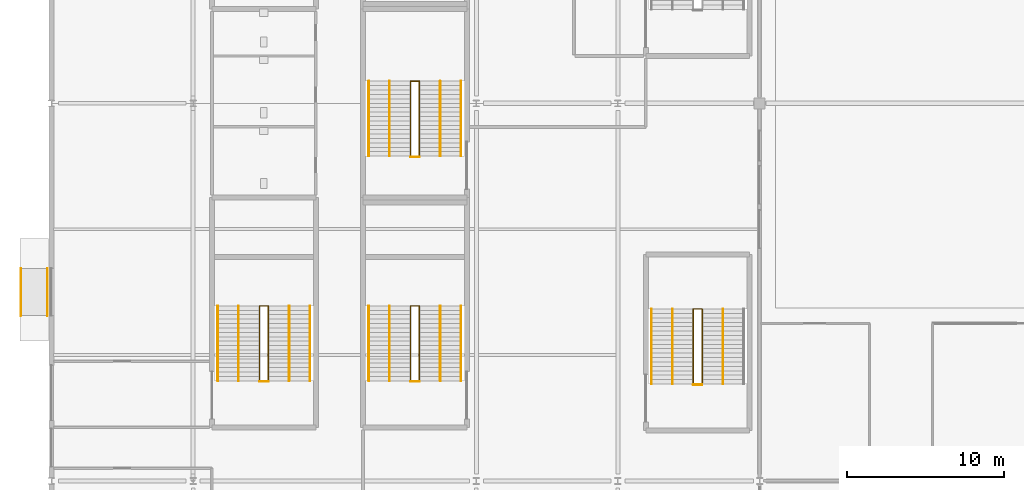
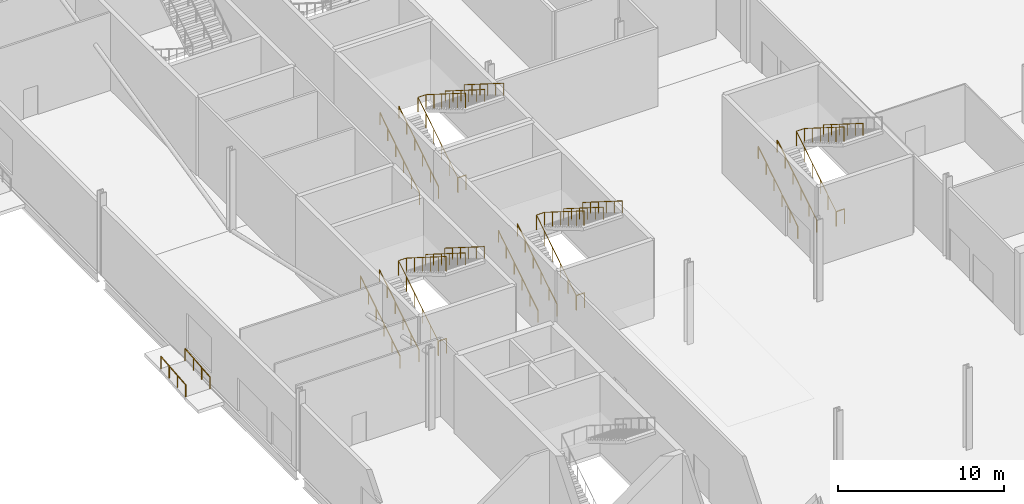
# One storey, part 69 of 84: 25 railings.
"""IFC4 building model written with IfcOpenShell, lengths in metres."""

from ifc_helpers import new_model, si_unit, direction, frame, origin, origin_2d, place, context, subcontext, project, spatial, circle, extrude, material, type_object, element, save


model = new_model("IFC4")

# Units and contexts
model_context = context("Model", 3, precision=1e-05, world=origin(), true_north=direction((0.0, 1.0)))
body_context = subcontext(model_context, "Body", "Model", "MODEL_VIEW")
ifc_project = project(units=[si_unit("LENGTHUNIT", "METRE"), si_unit("AREAUNIT", "SQUARE_METRE"), si_unit("VOLUMEUNIT", "CUBIC_METRE"), si_unit("PLANEANGLEUNIT", "RADIAN"), si_unit("MASSUNIT", "GRAM", prefix="KILO")], contexts=[model_context])

# Site, building, storey
site_placement = place(None, origin())
site = spatial("IfcSite", under=ifc_project, at=site_placement, CompositionType="ELEMENT")
building_placement = place(site_placement, origin())
building = spatial("IfcBuilding", under=site, at=building_placement, Name="Kisiwana Market Hall", CompositionType="ELEMENT")
storey_placement = place(building_placement, origin())
storey = spatial("IfcBuildingStorey", under=building, at=storey_placement, Name="L00", CompositionType="ELEMENT", Elevation=0.0)

# Railings
ifc_material_1 = material(Name="Steel S275", Category="steel")
railing_type_1 = type_object("IfcRailingType", Name="RL-GUARD-1100", PredefinedType="GUARDRAIL", material=ifc_material_1)
railing_1_placement = place(storey_placement, frame((13.219970703125, 42.360107421875, 0.0)))
element("IfcRailing", 1, at=railing_1_placement, inside=storey, type_object=railing_type_1, Name="Stair ST-W3-L00 inner-well guardrail (RL-179)", PredefinedType="GUARDRAIL", context=body_context, shape_type="SweptSolid", body=[
    extrude(circle(Radius=0.02392578125, at=origin_2d()), frame((0.0, 0.0, 1.076171875), z_axis=(0.0, 0.845995810448, 0.533189542944), x_axis=(-1.0, 0.0, 0.0)), (0.0, 0.0, 1.0), 5.62646484375),
    extrude(circle(Radius=0.02392578125, at=origin_2d()), frame((0.0, 4.760009765625, 4.076171875), z_axis=(1.0, 0.0, 0.0), x_axis=(0.0, 1.0, 0.0)), (0.0, 0.0, 1.0), 0.56005859375),
    extrude(circle(Radius=0.02392578125, at=origin_2d()), frame((0.56005859375, 4.760009765625, 4.076171875), z_axis=(0.0, -0.845995810448, 0.533189542944), x_axis=(1.0, 0.0, 0.0)), (0.0, 0.0, 1.0), 5.62646484375),
    extrude(circle(Radius=0.02099609375, at=origin_2d()), origin(), (0.0, 0.0, 1.0), 1.052001953125),
    extrude(circle(Radius=0.02099609375, at=origin_2d()), frame((0.0, 0.951904296875, 0.60009765625)), (0.0, 0.0, 1.0), 1.052001953125),
    extrude(circle(Radius=0.02099609375, at=origin_2d()), frame((0.0, 1.904052734375, 1.199951171875)), (0.0, 0.0, 1.0), 1.052001953125),
    extrude(circle(Radius=0.02099609375, at=origin_2d()), frame((0.0, 2.85595703125, 1.800048828125)), (0.0, 0.0, 1.0), 1.052001953125),
    extrude(circle(Radius=0.02099609375, at=origin_2d()), frame((0.0, 3.80810546875, 2.39990234375)), (0.0, 0.0, 1.0), 1.052001953125),
    extrude(circle(Radius=0.02099609375, at=origin_2d()), frame((0.0, 4.760009765625, 3.0)), (0.0, 0.0, 1.0), 1.052001953125),
    extrude(circle(Radius=0.02099609375, at=origin_2d()), frame((0.56005859375, 4.760009765625, 3.0)), (0.0, 0.0, 1.0), 1.052001953125),
    extrude(circle(Radius=0.02099609375, at=origin_2d()), frame((0.56005859375, 3.80810546875, 3.60009765625)), (0.0, 0.0, 1.0), 1.052001953125),
    extrude(circle(Radius=0.02099609375, at=origin_2d()), frame((0.56005859375, 2.85595703125, 4.199951171875)), (0.0, 0.0, 1.0), 1.052001953125),
    extrude(circle(Radius=0.02099609375, at=origin_2d()), frame((0.56005859375, 1.904052734375, 4.800048828125)), (0.0, 0.0, 1.0), 1.052001953125),
    extrude(circle(Radius=0.02099609375, at=origin_2d()), frame((0.56005859375, 0.951904296875, 5.39990234375)), (0.0, 0.0, 1.0), 1.052001953125),
    extrude(circle(Radius=0.02099609375, at=origin_2d()), frame((0.56005859375, 0.0, 6.0)), (0.0, 0.0, 1.0), 1.052001953125),
])
railing_2_placement = place(storey_placement, frame((13.219970703125, 42.31005859375, 0.0)))
element("IfcRailing", 2, at=railing_2_placement, inside=storey, type_object=railing_type_1, Name="Stair ST-W3-L00 landing edge guardrail (RL-184)", PredefinedType="GUARDRAIL", context=body_context, shape_type="SweptSolid", body=[
    extrude(circle(Radius=0.02392578125, at=origin_2d()), frame((0.0, 0.0, 1.076171875), z_axis=(1.0, 0.0, 0.0), x_axis=(0.0, 1.0, 0.0)), (0.0, 0.0, 1.0), 0.56005859375),
    extrude(circle(Radius=0.02099609375, at=origin_2d()), origin(), (0.0, 0.0, 1.0), 1.052001953125),
    extrude(circle(Radius=0.02099609375, at=origin_2d()), frame((0.56005859375, 0.0, 0.0)), (0.0, 0.0, 1.0), 1.052001953125),
])
railing_3_placement = place(storey_placement, frame((22.820068359375, 42.360107421875, 0.0)))
element("IfcRailing", 3, at=railing_3_placement, inside=storey, type_object=railing_type_1, Name="Stair ST-W7-L00 inner-well guardrail (RL-203)", PredefinedType="GUARDRAIL", context=body_context, shape_type="SweptSolid", body=[
    extrude(circle(Radius=0.02392578125, at=origin_2d()), frame((0.0, 0.0, 1.076171875), z_axis=(0.0, 0.845995810448, 0.533189542944), x_axis=(-1.0, 0.0, 0.0)), (0.0, 0.0, 1.0), 5.62646484375),
    extrude(circle(Radius=0.02392578125, at=origin_2d()), frame((0.0, 4.760009765625, 4.076171875), z_axis=(1.0, 0.0, 0.0), x_axis=(0.0, 1.0, 0.0)), (0.0, 0.0, 1.0), 0.559814453125),
    extrude(circle(Radius=0.02392578125, at=origin_2d()), frame((0.559814453125, 4.760009765625, 4.076171875), z_axis=(0.0, -0.845995810448, 0.533189542944), x_axis=(1.0, 0.0, 0.0)), (0.0, 0.0, 1.0), 5.62646484375),
    extrude(circle(Radius=0.02099609375, at=origin_2d()), origin(), (0.0, 0.0, 1.0), 1.052001953125),
    extrude(circle(Radius=0.02099609375, at=origin_2d()), frame((0.0, 0.951904296875, 0.60009765625)), (0.0, 0.0, 1.0), 1.052001953125),
    extrude(circle(Radius=0.02099609375, at=origin_2d()), frame((0.0, 1.904052734375, 1.199951171875)), (0.0, 0.0, 1.0), 1.052001953125),
    extrude(circle(Radius=0.02099609375, at=origin_2d()), frame((0.0, 2.85595703125, 1.800048828125)), (0.0, 0.0, 1.0), 1.052001953125),
    extrude(circle(Radius=0.02099609375, at=origin_2d()), frame((0.0, 3.80810546875, 2.39990234375)), (0.0, 0.0, 1.0), 1.052001953125),
    extrude(circle(Radius=0.02099609375, at=origin_2d()), frame((0.0, 4.760009765625, 3.0)), (0.0, 0.0, 1.0), 1.052001953125),
    extrude(circle(Radius=0.02099609375, at=origin_2d()), frame((0.559814453125, 4.760009765625, 3.0)), (0.0, 0.0, 1.0), 1.052001953125),
    extrude(circle(Radius=0.02099609375, at=origin_2d()), frame((0.559814453125, 3.80810546875, 3.60009765625)), (0.0, 0.0, 1.0), 1.052001953125),
    extrude(circle(Radius=0.02099609375, at=origin_2d()), frame((0.559814453125, 2.85595703125, 4.199951171875)), (0.0, 0.0, 1.0), 1.052001953125),
    extrude(circle(Radius=0.02099609375, at=origin_2d()), frame((0.559814453125, 1.904052734375, 4.800048828125)), (0.0, 0.0, 1.0), 1.052001953125),
    extrude(circle(Radius=0.02099609375, at=origin_2d()), frame((0.559814453125, 0.951904296875, 5.39990234375)), (0.0, 0.0, 1.0), 1.052001953125),
    extrude(circle(Radius=0.02099609375, at=origin_2d()), frame((0.559814453125, 0.0, 6.0)), (0.0, 0.0, 1.0), 1.052001953125),
])
railing_4_placement = place(storey_placement, frame((22.820068359375, 42.31005859375, 0.0)))
element("IfcRailing", 4, at=railing_4_placement, inside=storey, type_object=railing_type_1, Name="Stair ST-W7-L00 landing edge guardrail (RL-208)", PredefinedType="GUARDRAIL", context=body_context, shape_type="SweptSolid", body=[
    extrude(circle(Radius=0.02392578125, at=origin_2d()), frame((0.0, 0.0, 1.076171875), z_axis=(1.0, 0.0, 0.0), x_axis=(0.0, 1.0, 0.0)), (0.0, 0.0, 1.0), 0.559814453125),
    extrude(circle(Radius=0.02099609375, at=origin_2d()), origin(), (0.0, 0.0, 1.0), 1.052001953125),
    extrude(circle(Radius=0.02099609375, at=origin_2d()), frame((0.559814453125, 0.0, 0.0)), (0.0, 0.0, 1.0), 1.052001953125),
])
railing_5_placement = place(storey_placement, frame((40.7900390625, 42.159912109375, 0.0)))
element("IfcRailing", 5, at=railing_5_placement, inside=storey, type_object=railing_type_1, Name="Stair ST-W9-L00 inner-well guardrail (RL-227)", PredefinedType="GUARDRAIL", context=body_context, shape_type="SweptSolid", body=[
    extrude(circle(Radius=0.02392578125, at=origin_2d()), frame((0.0, 0.0, 1.076171875), z_axis=(0.0, 0.845995810448, 0.533189542944), x_axis=(-1.0, 0.0, 0.0)), (0.0, 0.0, 1.0), 5.62646484375),
    extrude(circle(Radius=0.02392578125, at=origin_2d()), frame((0.0, 4.760009765625, 4.076171875), z_axis=(1.0, 0.0, 0.0), x_axis=(0.0, 1.0, 0.0)), (0.0, 0.0, 1.0), 0.56005859375),
    extrude(circle(Radius=0.02392578125, at=origin_2d()), frame((0.56005859375, 4.760009765625, 4.076171875), z_axis=(0.0, -0.845995810448, 0.533189542944), x_axis=(1.0, 0.0, 0.0)), (0.0, 0.0, 1.0), 5.62646484375),
    extrude(circle(Radius=0.02099609375, at=origin_2d()), origin(), (0.0, 0.0, 1.0), 1.052001953125),
    extrude(circle(Radius=0.02099609375, at=origin_2d()), frame((0.0, 0.951904296875, 0.60009765625)), (0.0, 0.0, 1.0), 1.052001953125),
    extrude(circle(Radius=0.02099609375, at=origin_2d()), frame((0.0, 1.904052734375, 1.199951171875)), (0.0, 0.0, 1.0), 1.052001953125),
    extrude(circle(Radius=0.02099609375, at=origin_2d()), frame((0.0, 2.85595703125, 1.800048828125)), (0.0, 0.0, 1.0), 1.052001953125),
    extrude(circle(Radius=0.02099609375, at=origin_2d()), frame((0.0, 3.80810546875, 2.39990234375)), (0.0, 0.0, 1.0), 1.052001953125),
    extrude(circle(Radius=0.02099609375, at=origin_2d()), frame((0.0, 4.760009765625, 3.0)), (0.0, 0.0, 1.0), 1.052001953125),
    extrude(circle(Radius=0.02099609375, at=origin_2d()), frame((0.56005859375, 4.760009765625, 3.0)), (0.0, 0.0, 1.0), 1.052001953125),
    extrude(circle(Radius=0.02099609375, at=origin_2d()), frame((0.56005859375, 3.80810546875, 3.60009765625)), (0.0, 0.0, 1.0), 1.052001953125),
    extrude(circle(Radius=0.02099609375, at=origin_2d()), frame((0.56005859375, 2.85595703125, 4.199951171875)), (0.0, 0.0, 1.0), 1.052001953125),
    extrude(circle(Radius=0.02099609375, at=origin_2d()), frame((0.56005859375, 1.904052734375, 4.800048828125)), (0.0, 0.0, 1.0), 1.052001953125),
    extrude(circle(Radius=0.02099609375, at=origin_2d()), frame((0.56005859375, 0.951904296875, 5.39990234375)), (0.0, 0.0, 1.0), 1.052001953125),
    extrude(circle(Radius=0.02099609375, at=origin_2d()), frame((0.56005859375, 0.0, 6.0)), (0.0, 0.0, 1.0), 1.052001953125),
])
railing_6_placement = place(storey_placement, frame((40.7900390625, 42.110107421875, 0.0)))
element("IfcRailing", 6, at=railing_6_placement, inside=storey, type_object=railing_type_1, Name="Stair ST-W9-L00 landing edge guardrail (RL-232)", PredefinedType="GUARDRAIL", context=body_context, shape_type="SweptSolid", body=[
    extrude(circle(Radius=0.02392578125, at=origin_2d()), frame((0.0, 0.0, 1.076171875), z_axis=(1.0, 0.0, 0.0), x_axis=(0.0, 1.0, 0.0)), (0.0, 0.0, 1.0), 0.56005859375),
    extrude(circle(Radius=0.02099609375, at=origin_2d()), origin(), (0.0, 0.0, 1.0), 1.052001953125),
    extrude(circle(Radius=0.02099609375, at=origin_2d()), frame((0.56005859375, 0.0, 0.0)), (0.0, 0.0, 1.0), 1.052001953125),
])
railing_7_placement = place(storey_placement, frame((22.820068359375, 56.639892578125, 0.0)))
element("IfcRailing", 7, at=railing_7_placement, inside=storey, type_object=railing_type_1, Name="Stair ST-W5-L00 inner-well guardrail (RL-251)", PredefinedType="GUARDRAIL", context=body_context, shape_type="SweptSolid", body=[
    extrude(circle(Radius=0.02392578125, at=origin_2d()), frame((0.0, 0.0, 1.076171875), z_axis=(0.0, 0.845995810448, 0.533189542944), x_axis=(-1.0, 0.0, 0.0)), (0.0, 0.0, 1.0), 5.62646484375),
    extrude(circle(Radius=0.02392578125, at=origin_2d()), frame((0.0, 4.760009765625, 4.076171875), z_axis=(1.0, 0.0, 0.0), x_axis=(0.0, 1.0, 0.0)), (0.0, 0.0, 1.0), 0.559814453125),
    extrude(circle(Radius=0.02392578125, at=origin_2d()), frame((0.559814453125, 4.760009765625, 4.076171875), z_axis=(0.0, -0.845995810448, 0.533189542944), x_axis=(1.0, 0.0, 0.0)), (0.0, 0.0, 1.0), 5.62646484375),
    extrude(circle(Radius=0.02099609375, at=origin_2d()), origin(), (0.0, 0.0, 1.0), 1.052001953125),
    extrude(circle(Radius=0.02099609375, at=origin_2d()), frame((0.0, 0.951904296875, 0.60009765625)), (0.0, 0.0, 1.0), 1.052001953125),
    extrude(circle(Radius=0.02099609375, at=origin_2d()), frame((0.0, 1.904052734375, 1.199951171875)), (0.0, 0.0, 1.0), 1.052001953125),
    extrude(circle(Radius=0.02099609375, at=origin_2d()), frame((0.0, 2.85595703125, 1.800048828125)), (0.0, 0.0, 1.0), 1.052001953125),
    extrude(circle(Radius=0.02099609375, at=origin_2d()), frame((0.0, 3.80810546875, 2.39990234375)), (0.0, 0.0, 1.0), 1.052001953125),
    extrude(circle(Radius=0.02099609375, at=origin_2d()), frame((0.0, 4.760009765625, 3.0)), (0.0, 0.0, 1.0), 1.052001953125),
    extrude(circle(Radius=0.02099609375, at=origin_2d()), frame((0.559814453125, 4.760009765625, 3.0)), (0.0, 0.0, 1.0), 1.052001953125),
    extrude(circle(Radius=0.02099609375, at=origin_2d()), frame((0.559814453125, 3.80810546875, 3.60009765625)), (0.0, 0.0, 1.0), 1.052001953125),
    extrude(circle(Radius=0.02099609375, at=origin_2d()), frame((0.559814453125, 2.85595703125, 4.199951171875)), (0.0, 0.0, 1.0), 1.052001953125),
    extrude(circle(Radius=0.02099609375, at=origin_2d()), frame((0.559814453125, 1.904052734375, 4.800048828125)), (0.0, 0.0, 1.0), 1.052001953125),
    extrude(circle(Radius=0.02099609375, at=origin_2d()), frame((0.559814453125, 0.951904296875, 5.39990234375)), (0.0, 0.0, 1.0), 1.052001953125),
    extrude(circle(Radius=0.02099609375, at=origin_2d()), frame((0.559814453125, 0.0, 6.0)), (0.0, 0.0, 1.0), 1.052001953125),
])
railing_8_placement = place(storey_placement, frame((22.820068359375, 56.590087890625, 0.0)))
element("IfcRailing", 8, at=railing_8_placement, inside=storey, type_object=railing_type_1, Name="Stair ST-W5-L00 landing edge guardrail (RL-256)", PredefinedType="GUARDRAIL", context=body_context, shape_type="SweptSolid", body=[
    extrude(circle(Radius=0.02392578125, at=origin_2d()), frame((0.0, 0.0, 1.076171875), z_axis=(1.0, 0.0, 0.0), x_axis=(0.0, 1.0, 0.0)), (0.0, 0.0, 1.0), 0.559814453125),
    extrude(circle(Radius=0.02099609375, at=origin_2d()), origin(), (0.0, 0.0, 1.0), 1.052001953125),
    extrude(circle(Radius=0.02099609375, at=origin_2d()), frame((0.559814453125, 0.0, 0.0)), (0.0, 0.0, 1.0), 1.052001953125),
])
ifc_material_2 = material(Name="Steel S275", Category="steel")
railing_type_2 = type_object("IfcRailingType", Name="RL-HAND-900", PredefinedType="HANDRAIL", material=ifc_material_2)
for number, where, name in (
    (9, (-1.93994140625, 46.5, -0.25), "West Market Central Ramp handrail L 900 RL-003"),
    (10, (-0.260009765625, 46.5, -0.25), "West Market Central Ramp handrail R 900 RL-004"),
):
    element("IfcRailing", number, at=place(storey_placement, frame(where)), inside=storey, type_object=railing_type_2, Name=name, PredefinedType="HANDRAIL", context=body_context, shape_type="SweptSolid", body=[
        extrude(circle(Radius=0.02392578125, at=origin_2d()), frame((0.0, 0.0, 0.8759765625), z_axis=(0.0, 0.996545758245, 0.083045479854), x_axis=(-1.0, 0.0, 0.0)), (0.0, 0.0, 1.0), 3.010498046875),
        extrude(circle(Radius=0.02099609375, at=origin_2d()), origin(), (0.0, 0.0, 1.0), 0.851806640625),
        extrude(circle(Radius=0.02099609375, at=origin_2d()), frame((0.0, 1.0, 0.083251953125)), (0.0, 0.0, 1.0), 0.851806640625),
        extrude(circle(Radius=0.02099609375, at=origin_2d()), frame((0.0, 2.0, 0.166748046875)), (0.0, 0.0, 1.0), 0.851806640625),
        extrude(circle(Radius=0.02099609375, at=origin_2d()), frame((0.0, 3.0, 0.25)), (0.0, 0.0, 1.0), 0.851806640625),
    ])
railing_9_placement = place(storey_placement, frame((10.570068359375, 42.360107421875, 0.0)))
element("IfcRailing", 11, at=railing_9_placement, inside=storey, type_object=railing_type_2, Name="Stair ST-W3-L00 flight 1 handrail (RL-180)", PredefinedType="HANDRAIL", context=body_context, shape_type="SweptSolid", body=[
    extrude(circle(Radius=0.02392578125, at=origin_2d()), frame((0.0, 0.0, 0.8759765625), z_axis=(0.0, 0.845995810448, 0.533189542944), x_axis=(-1.0, 0.0, 0.0)), (0.0, 0.0, 1.0), 5.62646484375),
    extrude(circle(Radius=0.02099609375, at=origin_2d()), origin(), (0.0, 0.0, 1.0), 0.851806640625),
    extrude(circle(Radius=0.02099609375, at=origin_2d()), frame((0.0, 0.951904296875, 0.60009765625)), (0.0, 0.0, 1.0), 0.851806640625),
    extrude(circle(Radius=0.02099609375, at=origin_2d()), frame((0.0, 1.904052734375, 1.199951171875)), (0.0, 0.0, 1.0), 0.851806640625),
    extrude(circle(Radius=0.02099609375, at=origin_2d()), frame((0.0, 2.85595703125, 1.800048828125)), (0.0, 0.0, 1.0), 0.851806640625),
    extrude(circle(Radius=0.02099609375, at=origin_2d()), frame((0.0, 3.80810546875, 2.39990234375)), (0.0, 0.0, 1.0), 0.851806640625),
    extrude(circle(Radius=0.02099609375, at=origin_2d()), frame((0.0, 4.760009765625, 3.0)), (0.0, 0.0, 1.0), 0.851806640625),
])
railing_10_placement = place(storey_placement, frame((16.429931640625, 47.1201171875, 3.0)))
element("IfcRailing", 12, at=railing_10_placement, inside=storey, type_object=railing_type_2, Name="Stair ST-W3-L00 flight 2 handrail (RL-181)", PredefinedType="HANDRAIL", context=body_context, shape_type="SweptSolid", body=[
    extrude(circle(Radius=0.02392578125, at=origin_2d()), frame((0.0, 0.0, 0.8759765625), z_axis=(0.0, -0.845995810448, 0.533189542944), x_axis=(1.0, 0.0, 0.0)), (0.0, 0.0, 1.0), 5.62646484375),
    extrude(circle(Radius=0.02099609375, at=origin_2d()), origin(), (0.0, 0.0, 1.0), 0.851806640625),
    extrude(circle(Radius=0.02099609375, at=origin_2d()), frame((0.0, -0.951904296875, 0.60009765625)), (0.0, 0.0, 1.0), 0.851806640625),
    extrude(circle(Radius=0.02099609375, at=origin_2d()), frame((0.0, -1.904052734375, 1.199951171875)), (0.0, 0.0, 1.0), 0.851806640625),
    extrude(circle(Radius=0.02099609375, at=origin_2d()), frame((0.0, -2.85595703125, 1.800048828125)), (0.0, 0.0, 1.0), 0.851806640625),
    extrude(circle(Radius=0.02099609375, at=origin_2d()), frame((0.0, -3.80810546875, 2.39990234375)), (0.0, 0.0, 1.0), 0.851806640625),
    extrude(circle(Radius=0.02099609375, at=origin_2d()), frame((0.0, -4.760009765625, 3.0)), (0.0, 0.0, 1.0), 0.851806640625),
])
railing_11_placement = place(storey_placement, frame((11.889892578125, 42.360107421875, 0.0)))
element("IfcRailing", 13, at=railing_11_placement, inside=storey, type_object=railing_type_2, Name="Stair ST-W3-L00 flight 1 intermediate handrail (RL-182)", PredefinedType="HANDRAIL", context=body_context, shape_type="SweptSolid", body=[
    extrude(circle(Radius=0.02392578125, at=origin_2d()), frame((0.0, 0.0, 0.8759765625), z_axis=(0.0, 0.845995810448, 0.533189542944), x_axis=(-1.0, 0.0, 0.0)), (0.0, 0.0, 1.0), 5.62646484375),
    extrude(circle(Radius=0.02099609375, at=origin_2d()), origin(), (0.0, 0.0, 1.0), 0.851806640625),
    extrude(circle(Radius=0.02099609375, at=origin_2d()), frame((0.0, 0.951904296875, 0.60009765625)), (0.0, 0.0, 1.0), 0.851806640625),
    extrude(circle(Radius=0.02099609375, at=origin_2d()), frame((0.0, 1.904052734375, 1.199951171875)), (0.0, 0.0, 1.0), 0.851806640625),
    extrude(circle(Radius=0.02099609375, at=origin_2d()), frame((0.0, 2.85595703125, 1.800048828125)), (0.0, 0.0, 1.0), 0.851806640625),
    extrude(circle(Radius=0.02099609375, at=origin_2d()), frame((0.0, 3.80810546875, 2.39990234375)), (0.0, 0.0, 1.0), 0.851806640625),
    extrude(circle(Radius=0.02099609375, at=origin_2d()), frame((0.0, 4.760009765625, 3.0)), (0.0, 0.0, 1.0), 0.851806640625),
])
railing_12_placement = place(storey_placement, frame((15.110107421875, 47.1201171875, 3.0)))
element("IfcRailing", 14, at=railing_12_placement, inside=storey, type_object=railing_type_2, Name="Stair ST-W3-L00 flight 2 intermediate handrail (RL-183)", PredefinedType="HANDRAIL", context=body_context, shape_type="SweptSolid", body=[
    extrude(circle(Radius=0.02392578125, at=origin_2d()), frame((0.0, 0.0, 0.8759765625), z_axis=(0.0, -0.845995810448, 0.533189542944), x_axis=(1.0, 0.0, 0.0)), (0.0, 0.0, 1.0), 5.62646484375),
    extrude(circle(Radius=0.02099609375, at=origin_2d()), origin(), (0.0, 0.0, 1.0), 0.851806640625),
    extrude(circle(Radius=0.02099609375, at=origin_2d()), frame((0.0, -0.951904296875, 0.60009765625)), (0.0, 0.0, 1.0), 0.851806640625),
    extrude(circle(Radius=0.02099609375, at=origin_2d()), frame((0.0, -1.904052734375, 1.199951171875)), (0.0, 0.0, 1.0), 0.851806640625),
    extrude(circle(Radius=0.02099609375, at=origin_2d()), frame((0.0, -2.85595703125, 1.800048828125)), (0.0, 0.0, 1.0), 0.851806640625),
    extrude(circle(Radius=0.02099609375, at=origin_2d()), frame((0.0, -3.80810546875, 2.39990234375)), (0.0, 0.0, 1.0), 0.851806640625),
    extrude(circle(Radius=0.02099609375, at=origin_2d()), frame((0.0, -4.760009765625, 3.0)), (0.0, 0.0, 1.0), 0.851806640625),
])
railing_13_placement = place(storey_placement, frame((20.169921875, 42.360107421875, 0.0)))
element("IfcRailing", 15, at=railing_13_placement, inside=storey, type_object=railing_type_2, Name="Stair ST-W7-L00 flight 1 handrail (RL-204)", PredefinedType="HANDRAIL", context=body_context, shape_type="SweptSolid", body=[
    extrude(circle(Radius=0.02392578125, at=origin_2d()), frame((0.0, 0.0, 0.8759765625), z_axis=(0.0, 0.845995810448, 0.533189542944), x_axis=(-1.0, 0.0, 0.0)), (0.0, 0.0, 1.0), 5.62646484375),
    extrude(circle(Radius=0.02099609375, at=origin_2d()), origin(), (0.0, 0.0, 1.0), 0.851806640625),
    extrude(circle(Radius=0.02099609375, at=origin_2d()), frame((0.0, 0.951904296875, 0.60009765625)), (0.0, 0.0, 1.0), 0.851806640625),
    extrude(circle(Radius=0.02099609375, at=origin_2d()), frame((0.0, 1.904052734375, 1.199951171875)), (0.0, 0.0, 1.0), 0.851806640625),
    extrude(circle(Radius=0.02099609375, at=origin_2d()), frame((0.0, 2.85595703125, 1.800048828125)), (0.0, 0.0, 1.0), 0.851806640625),
    extrude(circle(Radius=0.02099609375, at=origin_2d()), frame((0.0, 3.80810546875, 2.39990234375)), (0.0, 0.0, 1.0), 0.851806640625),
    extrude(circle(Radius=0.02099609375, at=origin_2d()), frame((0.0, 4.760009765625, 3.0)), (0.0, 0.0, 1.0), 0.851806640625),
])
railing_14_placement = place(storey_placement, frame((26.030029296875, 47.1201171875, 3.0)))
element("IfcRailing", 16, at=railing_14_placement, inside=storey, type_object=railing_type_2, Name="Stair ST-W7-L00 flight 2 handrail (RL-205)", PredefinedType="HANDRAIL", context=body_context, shape_type="SweptSolid", body=[
    extrude(circle(Radius=0.02392578125, at=origin_2d()), frame((0.0, 0.0, 0.8759765625), z_axis=(0.0, -0.845995810448, 0.533189542944), x_axis=(1.0, 0.0, 0.0)), (0.0, 0.0, 1.0), 5.62646484375),
    extrude(circle(Radius=0.02099609375, at=origin_2d()), origin(), (0.0, 0.0, 1.0), 0.851806640625),
    extrude(circle(Radius=0.02099609375, at=origin_2d()), frame((0.0, -0.951904296875, 0.60009765625)), (0.0, 0.0, 1.0), 0.851806640625),
    extrude(circle(Radius=0.02099609375, at=origin_2d()), frame((0.0, -1.904052734375, 1.199951171875)), (0.0, 0.0, 1.0), 0.851806640625),
    extrude(circle(Radius=0.02099609375, at=origin_2d()), frame((0.0, -2.85595703125, 1.800048828125)), (0.0, 0.0, 1.0), 0.851806640625),
    extrude(circle(Radius=0.02099609375, at=origin_2d()), frame((0.0, -3.80810546875, 2.39990234375)), (0.0, 0.0, 1.0), 0.851806640625),
    extrude(circle(Radius=0.02099609375, at=origin_2d()), frame((0.0, -4.760009765625, 3.0)), (0.0, 0.0, 1.0), 0.851806640625),
])
railing_15_placement = place(storey_placement, frame((21.489990234375, 42.360107421875, 0.0)))
element("IfcRailing", 17, at=railing_15_placement, inside=storey, type_object=railing_type_2, Name="Stair ST-W7-L00 flight 1 intermediate handrail (RL-206)", PredefinedType="HANDRAIL", context=body_context, shape_type="SweptSolid", body=[
    extrude(circle(Radius=0.02392578125, at=origin_2d()), frame((0.0, 0.0, 0.8759765625), z_axis=(0.0, 0.845995810448, 0.533189542944), x_axis=(-1.0, 0.0, 0.0)), (0.0, 0.0, 1.0), 5.62646484375),
    extrude(circle(Radius=0.02099609375, at=origin_2d()), origin(), (0.0, 0.0, 1.0), 0.851806640625),
    extrude(circle(Radius=0.02099609375, at=origin_2d()), frame((0.0, 0.951904296875, 0.60009765625)), (0.0, 0.0, 1.0), 0.851806640625),
    extrude(circle(Radius=0.02099609375, at=origin_2d()), frame((0.0, 1.904052734375, 1.199951171875)), (0.0, 0.0, 1.0), 0.851806640625),
    extrude(circle(Radius=0.02099609375, at=origin_2d()), frame((0.0, 2.85595703125, 1.800048828125)), (0.0, 0.0, 1.0), 0.851806640625),
    extrude(circle(Radius=0.02099609375, at=origin_2d()), frame((0.0, 3.80810546875, 2.39990234375)), (0.0, 0.0, 1.0), 0.851806640625),
    extrude(circle(Radius=0.02099609375, at=origin_2d()), frame((0.0, 4.760009765625, 3.0)), (0.0, 0.0, 1.0), 0.851806640625),
])
railing_16_placement = place(storey_placement, frame((24.7099609375, 47.1201171875, 3.0)))
element("IfcRailing", 18, at=railing_16_placement, inside=storey, type_object=railing_type_2, Name="Stair ST-W7-L00 flight 2 intermediate handrail (RL-207)", PredefinedType="HANDRAIL", context=body_context, shape_type="SweptSolid", body=[
    extrude(circle(Radius=0.02392578125, at=origin_2d()), frame((0.0, 0.0, 0.8759765625), z_axis=(0.0, -0.845995810448, 0.533189542944), x_axis=(1.0, 0.0, 0.0)), (0.0, 0.0, 1.0), 5.62646484375),
    extrude(circle(Radius=0.02099609375, at=origin_2d()), origin(), (0.0, 0.0, 1.0), 0.851806640625),
    extrude(circle(Radius=0.02099609375, at=origin_2d()), frame((0.0, -0.951904296875, 0.60009765625)), (0.0, 0.0, 1.0), 0.851806640625),
    extrude(circle(Radius=0.02099609375, at=origin_2d()), frame((0.0, -1.904052734375, 1.199951171875)), (0.0, 0.0, 1.0), 0.851806640625),
    extrude(circle(Radius=0.02099609375, at=origin_2d()), frame((0.0, -2.85595703125, 1.800048828125)), (0.0, 0.0, 1.0), 0.851806640625),
    extrude(circle(Radius=0.02099609375, at=origin_2d()), frame((0.0, -3.80810546875, 2.39990234375)), (0.0, 0.0, 1.0), 0.851806640625),
    extrude(circle(Radius=0.02099609375, at=origin_2d()), frame((0.0, -4.760009765625, 3.0)), (0.0, 0.0, 1.0), 0.851806640625),
])
for number, where, name in (
    (19, (38.139892578125, 42.159912109375, 0.0), "Stair ST-W9-L00 flight 1 handrail (RL-228)"),
    (20, (39.4599609375, 42.159912109375, 0.0), "Stair ST-W9-L00 flight 1 intermediate handrail (RL-230)"),
):
    element("IfcRailing", number, at=place(storey_placement, frame(where)), inside=storey, type_object=railing_type_2, Name=name, PredefinedType="HANDRAIL", context=body_context, shape_type="SweptSolid", body=[
        extrude(circle(Radius=0.02392578125, at=origin_2d()), frame((0.0, 0.0, 0.8759765625), z_axis=(0.0, 0.845995810448, 0.533189542944), x_axis=(-1.0, 0.0, 0.0)), (0.0, 0.0, 1.0), 5.62646484375),
        extrude(circle(Radius=0.02099609375, at=origin_2d()), origin(), (0.0, 0.0, 1.0), 0.851806640625),
        extrude(circle(Radius=0.02099609375, at=origin_2d()), frame((0.0, 0.951904296875, 0.60009765625)), (0.0, 0.0, 1.0), 0.851806640625),
        extrude(circle(Radius=0.02099609375, at=origin_2d()), frame((0.0, 1.904052734375, 1.199951171875)), (0.0, 0.0, 1.0), 0.851806640625),
        extrude(circle(Radius=0.02099609375, at=origin_2d()), frame((0.0, 2.85595703125, 1.800048828125)), (0.0, 0.0, 1.0), 0.851806640625),
        extrude(circle(Radius=0.02099609375, at=origin_2d()), frame((0.0, 3.80810546875, 2.39990234375)), (0.0, 0.0, 1.0), 0.851806640625),
        extrude(circle(Radius=0.02099609375, at=origin_2d()), frame((0.0, 4.760009765625, 3.0)), (0.0, 0.0, 1.0), 0.851806640625),
    ])
railing_17_placement = place(storey_placement, frame((42.679931640625, 46.919921875, 3.0)))
element("IfcRailing", 21, at=railing_17_placement, inside=storey, type_object=railing_type_2, Name="Stair ST-W9-L00 flight 2 intermediate handrail (RL-231)", PredefinedType="HANDRAIL", context=body_context, shape_type="SweptSolid", body=[
    extrude(circle(Radius=0.02392578125, at=origin_2d()), frame((0.0, 0.0, 0.8759765625), z_axis=(0.0, -0.845995810448, 0.533189542944), x_axis=(1.0, 0.0, 0.0)), (0.0, 0.0, 1.0), 5.62646484375),
    extrude(circle(Radius=0.02099609375, at=origin_2d()), origin(), (0.0, 0.0, 1.0), 0.851806640625),
    extrude(circle(Radius=0.02099609375, at=origin_2d()), frame((0.0, -0.951904296875, 0.60009765625)), (0.0, 0.0, 1.0), 0.851806640625),
    extrude(circle(Radius=0.02099609375, at=origin_2d()), frame((0.0, -1.904052734375, 1.199951171875)), (0.0, 0.0, 1.0), 0.851806640625),
    extrude(circle(Radius=0.02099609375, at=origin_2d()), frame((0.0, -2.85595703125, 1.800048828125)), (0.0, 0.0, 1.0), 0.851806640625),
    extrude(circle(Radius=0.02099609375, at=origin_2d()), frame((0.0, -3.80810546875, 2.39990234375)), (0.0, 0.0, 1.0), 0.851806640625),
    extrude(circle(Radius=0.02099609375, at=origin_2d()), frame((0.0, -4.760009765625, 3.0)), (0.0, 0.0, 1.0), 0.851806640625),
])
railing_18_placement = place(storey_placement, frame((20.169921875, 56.639892578125, 0.0)))
element("IfcRailing", 22, at=railing_18_placement, inside=storey, type_object=railing_type_2, Name="Stair ST-W5-L00 flight 1 handrail (RL-252)", PredefinedType="HANDRAIL", context=body_context, shape_type="SweptSolid", body=[
    extrude(circle(Radius=0.02392578125, at=origin_2d()), frame((0.0, 0.0, 0.8759765625), z_axis=(0.0, 0.845995810448, 0.533189542944), x_axis=(-1.0, 0.0, 0.0)), (0.0, 0.0, 1.0), 5.62646484375),
    extrude(circle(Radius=0.02099609375, at=origin_2d()), origin(), (0.0, 0.0, 1.0), 0.851806640625),
    extrude(circle(Radius=0.02099609375, at=origin_2d()), frame((0.0, 0.951904296875, 0.60009765625)), (0.0, 0.0, 1.0), 0.851806640625),
    extrude(circle(Radius=0.02099609375, at=origin_2d()), frame((0.0, 1.904052734375, 1.199951171875)), (0.0, 0.0, 1.0), 0.851806640625),
    extrude(circle(Radius=0.02099609375, at=origin_2d()), frame((0.0, 2.85595703125, 1.800048828125)), (0.0, 0.0, 1.0), 0.851806640625),
    extrude(circle(Radius=0.02099609375, at=origin_2d()), frame((0.0, 3.80810546875, 2.39990234375)), (0.0, 0.0, 1.0), 0.851806640625),
    extrude(circle(Radius=0.02099609375, at=origin_2d()), frame((0.0, 4.760009765625, 3.0)), (0.0, 0.0, 1.0), 0.851806640625),
])
railing_19_placement = place(storey_placement, frame((26.030029296875, 61.39990234375, 3.0)))
element("IfcRailing", 23, at=railing_19_placement, inside=storey, type_object=railing_type_2, Name="Stair ST-W5-L00 flight 2 handrail (RL-253)", PredefinedType="HANDRAIL", context=body_context, shape_type="SweptSolid", body=[
    extrude(circle(Radius=0.02392578125, at=origin_2d()), frame((0.0, 0.0, 0.8759765625), z_axis=(0.0, -0.845995810448, 0.533189542944), x_axis=(1.0, 0.0, 0.0)), (0.0, 0.0, 1.0), 5.62646484375),
    extrude(circle(Radius=0.02099609375, at=origin_2d()), origin(), (0.0, 0.0, 1.0), 0.851806640625),
    extrude(circle(Radius=0.02099609375, at=origin_2d()), frame((0.0, -0.951904296875, 0.60009765625)), (0.0, 0.0, 1.0), 0.851806640625),
    extrude(circle(Radius=0.02099609375, at=origin_2d()), frame((0.0, -1.904052734375, 1.199951171875)), (0.0, 0.0, 1.0), 0.851806640625),
    extrude(circle(Radius=0.02099609375, at=origin_2d()), frame((0.0, -2.85595703125, 1.800048828125)), (0.0, 0.0, 1.0), 0.851806640625),
    extrude(circle(Radius=0.02099609375, at=origin_2d()), frame((0.0, -3.80810546875, 2.39990234375)), (0.0, 0.0, 1.0), 0.851806640625),
    extrude(circle(Radius=0.02099609375, at=origin_2d()), frame((0.0, -4.760009765625, 3.0)), (0.0, 0.0, 1.0), 0.851806640625),
])
railing_20_placement = place(storey_placement, frame((21.489990234375, 56.639892578125, 0.0)))
element("IfcRailing", 24, at=railing_20_placement, inside=storey, type_object=railing_type_2, Name="Stair ST-W5-L00 flight 1 intermediate handrail (RL-254)", PredefinedType="HANDRAIL", context=body_context, shape_type="SweptSolid", body=[
    extrude(circle(Radius=0.02392578125, at=origin_2d()), frame((0.0, 0.0, 0.8759765625), z_axis=(0.0, 0.845995810448, 0.533189542944), x_axis=(-1.0, 0.0, 0.0)), (0.0, 0.0, 1.0), 5.62646484375),
    extrude(circle(Radius=0.02099609375, at=origin_2d()), origin(), (0.0, 0.0, 1.0), 0.851806640625),
    extrude(circle(Radius=0.02099609375, at=origin_2d()), frame((0.0, 0.951904296875, 0.60009765625)), (0.0, 0.0, 1.0), 0.851806640625),
    extrude(circle(Radius=0.02099609375, at=origin_2d()), frame((0.0, 1.904052734375, 1.199951171875)), (0.0, 0.0, 1.0), 0.851806640625),
    extrude(circle(Radius=0.02099609375, at=origin_2d()), frame((0.0, 2.85595703125, 1.800048828125)), (0.0, 0.0, 1.0), 0.851806640625),
    extrude(circle(Radius=0.02099609375, at=origin_2d()), frame((0.0, 3.80810546875, 2.39990234375)), (0.0, 0.0, 1.0), 0.851806640625),
    extrude(circle(Radius=0.02099609375, at=origin_2d()), frame((0.0, 4.760009765625, 3.0)), (0.0, 0.0, 1.0), 0.851806640625),
])
railing_21_placement = place(storey_placement, frame((24.7099609375, 61.39990234375, 3.0)))
element("IfcRailing", 25, at=railing_21_placement, inside=storey, type_object=railing_type_2, Name="Stair ST-W5-L00 flight 2 intermediate handrail (RL-255)", PredefinedType="HANDRAIL", context=body_context, shape_type="SweptSolid", body=[
    extrude(circle(Radius=0.02392578125, at=origin_2d()), frame((0.0, 0.0, 0.8759765625), z_axis=(0.0, -0.845995810448, 0.533189542944), x_axis=(1.0, 0.0, 0.0)), (0.0, 0.0, 1.0), 5.62646484375),
    extrude(circle(Radius=0.02099609375, at=origin_2d()), origin(), (0.0, 0.0, 1.0), 0.851806640625),
    extrude(circle(Radius=0.02099609375, at=origin_2d()), frame((0.0, -0.951904296875, 0.60009765625)), (0.0, 0.0, 1.0), 0.851806640625),
    extrude(circle(Radius=0.02099609375, at=origin_2d()), frame((0.0, -1.904052734375, 1.199951171875)), (0.0, 0.0, 1.0), 0.851806640625),
    extrude(circle(Radius=0.02099609375, at=origin_2d()), frame((0.0, -2.85595703125, 1.800048828125)), (0.0, 0.0, 1.0), 0.851806640625),
    extrude(circle(Radius=0.02099609375, at=origin_2d()), frame((0.0, -3.80810546875, 2.39990234375)), (0.0, 0.0, 1.0), 0.851806640625),
    extrude(circle(Radius=0.02099609375, at=origin_2d()), frame((0.0, -4.760009765625, 3.0)), (0.0, 0.0, 1.0), 0.851806640625),
])

save(model, "model.ifc")
